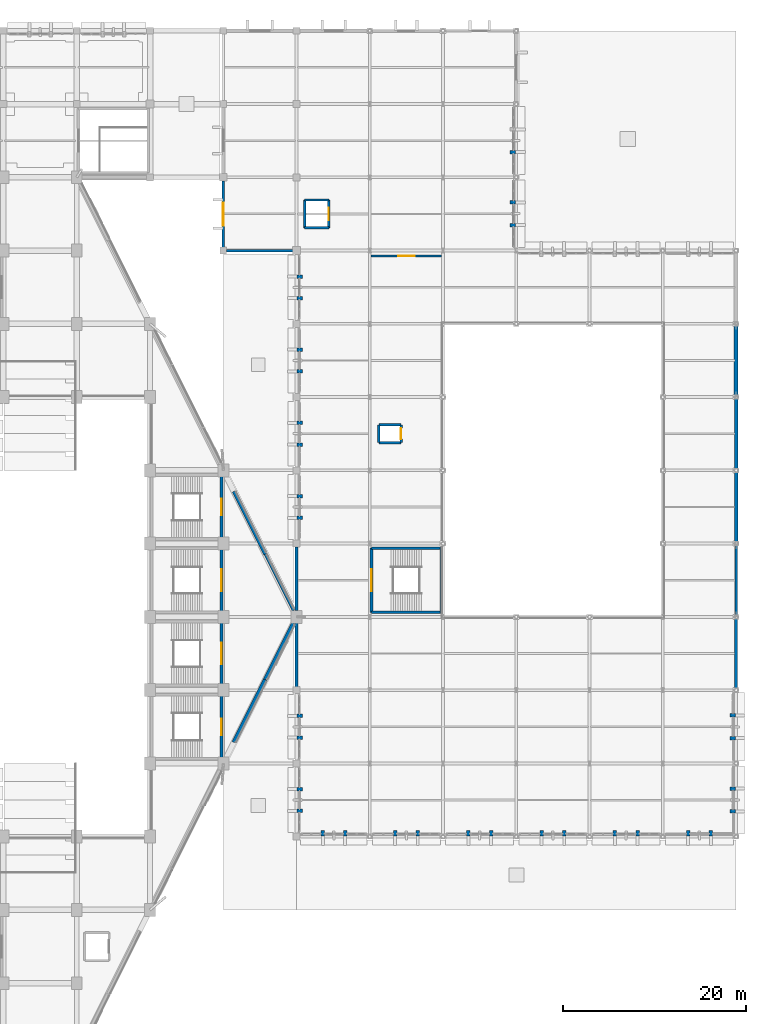
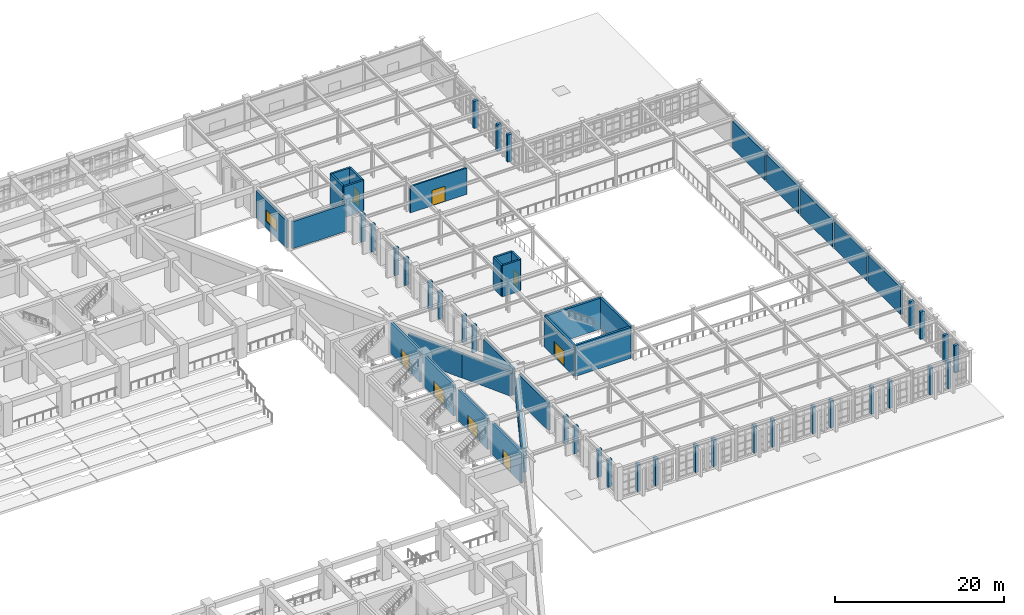
# One storey, part 139 of 155: 61 walls, 8 doors, 1 window, 9 openings.
"""IFC4 building model written with IfcOpenShell, lengths in metres."""

from ifc_helpers import new_model, si_unit, direction, frame, frame_2d, origin, place, context, subcontext, project, spatial, rectangle, extrude, material, layer, layer_set, type_object, element, fill, save


model = new_model("IFC4")

# Units and contexts
model_context = context("Model", 3, precision=1e-05, world=origin(), true_north=direction((0.0, 1.0)))
body_context = subcontext(model_context, "Body", "Model", "MODEL_VIEW")
ifc_project = project(units=[si_unit("LENGTHUNIT", "METRE"), si_unit("AREAUNIT", "SQUARE_METRE"), si_unit("VOLUMEUNIT", "CUBIC_METRE"), si_unit("PLANEANGLEUNIT", "RADIAN"), si_unit("MASSUNIT", "GRAM", prefix="KILO")], contexts=[model_context])

# Site, building, storey
site_placement = place(None, origin())
site = spatial("IfcSite", under=ifc_project, at=site_placement, CompositionType="ELEMENT")
building_placement = place(site_placement, origin())
building = spatial("IfcBuilding", under=site, at=building_placement, Name="Tazarka Park Arena", CompositionType="ELEMENT")
storey_placement = place(building_placement, frame((0.0, 0.0, 5.39990234375)))
storey = spatial("IfcBuildingStorey", under=building, at=storey_placement, Name="L01", CompositionType="ELEMENT", Elevation=5.39990234375)

# Wall, opening, door
ifc_material_1 = material(Name="Concrete C40/50", Category="concrete")
ifc_layer_1 = layer(ifc_material_1, 0.300048828125, Name="Concrete C40/50")
ifc_layer_set_1 = layer_set([ifc_layer_1], Name="Concrete C40/50")
wall_type_1 = type_object("IfcWallType", Name="IWAL-CW-S1", PredefinedType="SHEAR", material=ifc_layer_set_1)
wall_1_placement = place(storey_placement, frame((127.800048828125, 63.5, 0.0), z_axis=(0.0, 0.0, 1.0), x_axis=(0.0, -1.0, 0.0)))
wall_1 = element("IfcWall", 1, at=wall_1_placement, inside=storey, type_object=wall_type_1, Name="SCW-L01-ST12-E", PredefinedType="SHEAR", context=body_context, shape_type="SweptSolid", body=[
    extrude(rectangle(XDim=7.0, YDim=0.300048828125, at=frame_2d((3.5, 0.0))), origin(), (0.0, 0.0, 1.0), 4.47998046875),
])
opening_1_placement = place(wall_1_placement, frame((2.300048828125, 0.0, 0.0)))
opening_1 = element("IfcOpeningElement", 2, at=opening_1_placement, cuts=wall_1, Name="Opening ID-05", PredefinedType="OPENING", context=body_context, shape_type="SweptSolid", body=[
    extrude(rectangle(XDim=2.39990234375, YDim=2.199951171875, at=frame_2d((1.199951171875, 1.10009765625))), frame((0.0, 0.16015625, 0.0), z_axis=(0.0, -1.0, 0.0), x_axis=(1.0, 0.0, 0.0)), (0.0, 0.0, 1.0), 0.320068359375),
])
ifc_material_2 = material(Name="Fire-rated powder-coated steel and acoustic timber", Category="steel")
door_type_1 = type_object("IfcDoorType", Name="IDR-ID-05", OperationType="NOTDEFINED", PredefinedType="DOOR", material=ifc_material_2)
door_1_placement = place(opening_1_placement, frame((2.39990234375, 0.0, 0.0), z_axis=(0.0, 0.0, 1.0), x_axis=(-1.0, 0.0, 0.0)))
door_1 = element("IfcDoor", 3, at=door_1_placement, inside=storey, type_object=door_type_1, Name="Exit Stair Door ST12-L01", OperationType="DOUBLE_DOOR_SINGLE_SWING", OverallHeight=2.199951171875, OverallWidth=2.39990234375, PredefinedType="DOOR", context=body_context, shape_type="SweptSolid", body=[
    extrude(rectangle(XDim=2.39990234375, YDim=2.199951171875, at=frame_2d((1.199951171875, 1.10009765625))), frame((0.0, 0.02490234375, 0.0), z_axis=(0.0, -1.0, 0.0), x_axis=(1.0, 0.0, 0.0)), (0.0, 0.0, 1.0), 0.050048828125),
])
fill(opening_1, door_1)

wall_2_placement = place(storey_placement, frame((127.800048828125, 71.5, 0.0), z_axis=(0.0, 0.0, 1.0), x_axis=(0.0, -1.0, 0.0)))
wall_2 = element("IfcWall", 4, at=wall_2_placement, inside=storey, type_object=wall_type_1, Name="SCW-L01-ST16-E", PredefinedType="SHEAR", context=body_context, shape_type="SweptSolid", body=[
    extrude(rectangle(XDim=7.0, YDim=0.300048828125, at=frame_2d((3.5, 0.0))), origin(), (0.0, 0.0, 1.0), 4.47998046875),
])
opening_2_placement = place(wall_2_placement, frame((2.300048828125, 0.0, 0.0)))
opening_2 = element("IfcOpeningElement", 5, at=opening_2_placement, cuts=wall_2, Name="Opening ID-05", PredefinedType="OPENING", context=body_context, shape_type="SweptSolid", body=[
    extrude(rectangle(XDim=2.39990234375, YDim=2.199951171875, at=frame_2d((1.199951171875, 1.10009765625))), frame((0.0, 0.16015625, 0.0), z_axis=(0.0, -1.0, 0.0), x_axis=(1.0, 0.0, 0.0)), (0.0, 0.0, 1.0), 0.320068359375),
])
door_2_placement = place(opening_2_placement, frame((2.39990234375, 0.0, 0.0), z_axis=(0.0, 0.0, 1.0), x_axis=(-1.0, 0.0, 0.0)))
door_2 = element("IfcDoor", 6, at=door_2_placement, inside=storey, type_object=door_type_1, Name="Exit Stair Door ST16-L01", OperationType="DOUBLE_DOOR_SINGLE_SWING", OverallHeight=2.199951171875, OverallWidth=2.39990234375, PredefinedType="DOOR", context=body_context, shape_type="SweptSolid", body=[
    extrude(rectangle(XDim=2.39990234375, YDim=2.199951171875, at=frame_2d((1.199951171875, 1.10009765625))), frame((0.0, 0.02490234375, 0.0), z_axis=(0.0, -1.0, 0.0), x_axis=(1.0, 0.0, 0.0)), (0.0, 0.0, 1.0), 0.050048828125),
])
fill(opening_2, door_2)

# Wall
wall_3_placement = place(storey_placement, frame((151.800048828125, 64.5, 0.0), z_axis=(0.0, 0.0, 1.0), x_axis=(-1.0, 0.0, 0.0)))
element("IfcWall", 7, at=wall_3_placement, inside=storey, type_object=wall_type_1, Name="SCW-L01-ST18-S", PredefinedType="SHEAR", context=body_context, shape_type="SweptSolid", body=[
    extrude(rectangle(XDim=7.60009765625, YDim=0.300048828125, at=frame_2d((3.800048828125, 0.0))), origin(), (0.0, 0.0, 1.0), 4.47998046875),
])

# Wall, opening, door
wall_4_placement = place(storey_placement, frame((144.199951171875, 64.5, 0.0), z_axis=(0.0, 0.0, 1.0), x_axis=(0.0, 1.0, 0.0)))
wall_4 = element("IfcWall", 8, at=wall_4_placement, inside=storey, type_object=wall_type_1, Name="SCW-L01-ST18-W", PredefinedType="SHEAR", context=body_context, shape_type="SweptSolid", body=[
    extrude(rectangle(XDim=7.0, YDim=0.300048828125, at=frame_2d((3.5, 0.0))), origin(), (0.0, 0.0, 1.0), 4.47998046875),
])
opening_3_placement = place(wall_4_placement, frame((2.300048828125, 0.0, 0.0)))
opening_3 = element("IfcOpeningElement", 9, at=opening_3_placement, cuts=wall_4, Name="Opening ID-05", PredefinedType="OPENING", context=body_context, shape_type="SweptSolid", body=[
    extrude(rectangle(XDim=2.39990234375, YDim=2.199951171875, at=frame_2d((1.199951171875, 1.10009765625))), frame((0.0, 0.16015625, 0.0), z_axis=(0.0, -1.0, 0.0), x_axis=(1.0, 0.0, 0.0)), (0.0, 0.0, 1.0), 0.320068359375),
])
door_3_placement = place(opening_3_placement, frame((2.39990234375, 0.0, 0.0), z_axis=(0.0, 0.0, 1.0), x_axis=(-1.0, 0.0, 0.0)))
door_3 = element("IfcDoor", 10, at=door_3_placement, inside=storey, type_object=door_type_1, Name="Exit Stair Door ST18-L01", OperationType="DOUBLE_DOOR_SINGLE_SWING", OverallHeight=2.199951171875, OverallWidth=2.39990234375, PredefinedType="DOOR", context=body_context, shape_type="SweptSolid", body=[
    extrude(rectangle(XDim=2.39990234375, YDim=2.199951171875, at=frame_2d((1.199951171875, 1.10009765625))), frame((0.0, 0.02490234375, 0.0), z_axis=(0.0, -1.0, 0.0), x_axis=(1.0, 0.0, 0.0)), (0.0, 0.0, 1.0), 0.050048828125),
])
fill(opening_3, door_3)

# Walls
wall_5_placement = place(storey_placement, frame((144.199951171875, 71.5, 0.0), z_axis=(0.0, 0.0, 1.0), x_axis=(1.0, 0.0, 0.0)))
element("IfcWall", 11, at=wall_5_placement, inside=storey, type_object=wall_type_1, Name="SCW-L01-ST18-N", PredefinedType="SHEAR", context=body_context, shape_type="SweptSolid", body=[
    extrude(rectangle(XDim=7.60009765625, YDim=0.300048828125, at=frame_2d((3.800048828125, 0.0))), origin(), (0.0, 0.0, 1.0), 4.47998046875),
])
wall_6_placement = place(storey_placement, frame((151.800048828125, 71.5, 0.0), z_axis=(0.0, 0.0, 1.0), x_axis=(0.0, -1.0, 0.0)))
element("IfcWall", 12, at=wall_6_placement, inside=storey, type_object=wall_type_1, Name="SCW-L01-ST18-E", PredefinedType="SHEAR", context=body_context, shape_type="SweptSolid", body=[
    extrude(rectangle(XDim=7.0, YDim=0.300048828125, at=frame_2d((3.5, 0.0))), origin(), (0.0, 0.0, 1.0), 4.47998046875),
])

# Wall, opening, door
wall_7_placement = place(storey_placement, frame((127.800048828125, 55.5, 0.0), z_axis=(0.0, 0.0, 1.0), x_axis=(0.0, -1.0, 0.0)))
wall_7 = element("IfcWall", 13, at=wall_7_placement, inside=storey, type_object=wall_type_1, Name="SCW-L01-ST21-E", PredefinedType="SHEAR", context=body_context, shape_type="SweptSolid", body=[
    extrude(rectangle(XDim=7.0, YDim=0.300048828125, at=frame_2d((3.5, 0.0))), origin(), (0.0, 0.0, 1.0), 4.47998046875),
])
opening_4_placement = place(wall_7_placement, frame((2.60009765625, 0.0, 0.0)))
opening_4 = element("IfcOpeningElement", 14, at=opening_4_placement, cuts=wall_7, Name="Opening ID-04", PredefinedType="OPENING", context=body_context, shape_type="SweptSolid", body=[
    extrude(rectangle(XDim=1.800048828125, YDim=2.199951171875, at=frame_2d((0.89990234375, 1.10009765625))), frame((0.0, 0.16015625, 0.0), z_axis=(0.0, -1.0, 0.0), x_axis=(1.0, 0.0, 0.0)), (0.0, 0.0, 1.0), 0.320068359375),
])
ifc_material_3 = material(Name="Fire-rated powder-coated steel and acoustic timber", Category="steel")
door_type_2 = type_object("IfcDoorType", Name="IDR-ID-04", OperationType="NOTDEFINED", PredefinedType="DOOR", material=ifc_material_3)
door_4_placement = place(opening_4_placement, frame((1.800048828125, 0.0, 0.0), z_axis=(0.0, 0.0, 1.0), x_axis=(-1.0, 0.0, 0.0)))
door_4 = element("IfcDoor", 15, at=door_4_placement, inside=storey, type_object=door_type_2, Name="Vomitory Stair Door ST21-L01", OperationType="DOUBLE_DOOR_SINGLE_SWING", OverallHeight=2.199951171875, OverallWidth=1.800048828125, PredefinedType="DOOR", context=body_context, shape_type="SweptSolid", body=[
    extrude(rectangle(XDim=1.800048828125, YDim=2.199951171875, at=frame_2d((0.89990234375, 1.10009765625))), frame((0.0, 0.02490234375, 0.0), z_axis=(0.0, -1.0, 0.0), x_axis=(1.0, 0.0, 0.0)), (0.0, 0.0, 1.0), 0.050048828125),
])
fill(opening_4, door_4)

wall_8_placement = place(storey_placement, frame((127.800048828125, 79.5, 0.0), z_axis=(0.0, 0.0, 1.0), x_axis=(0.0, -1.0, 0.0)))
wall_8 = element("IfcWall", 16, at=wall_8_placement, inside=storey, type_object=wall_type_1, Name="SCW-L01-ST22-E", PredefinedType="SHEAR", context=body_context, shape_type="SweptSolid", body=[
    extrude(rectangle(XDim=7.0, YDim=0.300048828125, at=frame_2d((3.5, 0.0))), origin(), (0.0, 0.0, 1.0), 4.47998046875),
])
opening_5_placement = place(wall_8_placement, frame((2.60009765625, 0.0, 0.0)))
opening_5 = element("IfcOpeningElement", 17, at=opening_5_placement, cuts=wall_8, Name="Opening ID-04", PredefinedType="OPENING", context=body_context, shape_type="SweptSolid", body=[
    extrude(rectangle(XDim=1.800048828125, YDim=2.199951171875, at=frame_2d((0.89990234375, 1.10009765625))), frame((0.0, 0.16015625, 0.0), z_axis=(0.0, -1.0, 0.0), x_axis=(1.0, 0.0, 0.0)), (0.0, 0.0, 1.0), 0.320068359375),
])
door_5_placement = place(opening_5_placement, frame((1.800048828125, 0.0, 0.0), z_axis=(0.0, 0.0, 1.0), x_axis=(-1.0, 0.0, 0.0)))
door_5 = element("IfcDoor", 18, at=door_5_placement, inside=storey, type_object=door_type_2, Name="Vomitory Stair Door ST22-L01", OperationType="DOUBLE_DOOR_SINGLE_SWING", OverallHeight=2.199951171875, OverallWidth=1.800048828125, PredefinedType="DOOR", context=body_context, shape_type="SweptSolid", body=[
    extrude(rectangle(XDim=1.800048828125, YDim=2.199951171875, at=frame_2d((0.89990234375, 1.10009765625))), frame((0.0, 0.02490234375, 0.0), z_axis=(0.0, -1.0, 0.0), x_axis=(1.0, 0.0, 0.0)), (0.0, 0.0, 1.0), 0.050048828125),
])
fill(opening_5, door_5)

# Walls
ifc_material_4 = material(Name="Concrete C40/50", Category="concrete")
ifc_layer_2 = layer(ifc_material_4, 0.260009765625, Name="Concrete C40/50")
ifc_layer_set_2 = layer_set([ifc_layer_2], Name="Concrete C40/50")
wall_type_2 = type_object("IfcWallType", Name="IWAL-CW-S3", PredefinedType="SHEAR", material=ifc_layer_set_2)
wall_9_placement = place(storey_placement, frame((144.97998046875, 83.030029296875, 0.0), z_axis=(0.0, 0.0, 1.0), x_axis=(0.0, 1.0, 0.0)))
element("IfcWall", 19, at=wall_9_placement, inside=storey, type_object=wall_type_2, Name="LSW-L01-LF-10-W", PredefinedType="SHEAR", context=body_context, shape_type="SweptSolid", body=[
    extrude(rectangle(XDim=1.93994140625, YDim=0.260009765625, at=frame_2d((0.969970703125, 0.0))), origin(), (0.0, 0.0, 1.0), 4.47998046875),
])
for number, where, z_axis, x_axis, name in (
    (20, (144.97998046875, 84.969970703125, 0.0), (0.0, 0.0, 1.0), (1.0, 0.0, 0.0), "LSW-L01-LF-10-N"),
    (21, (147.419921875, 83.030029296875, 0.0), (0.0, 0.0, 1.0), (-1.0, 0.0, 0.0), "LSW-L01-LF-10-S"),
):
    element("IfcWall", number, at=place(storey_placement, frame(where, z_axis=z_axis, x_axis=x_axis)), inside=storey, type_object=wall_type_2, Name=name, PredefinedType="SHEAR", context=body_context, shape_type="SweptSolid", body=[
        extrude(rectangle(XDim=2.43994140625, YDim=0.260009765625, at=frame_2d((1.219970703125, 0.0))), origin(), (0.0, 0.0, 1.0), 4.47998046875),
    ])

# Wall, opening, door
wall_10_placement = place(storey_placement, frame((147.419921875, 84.969970703125, 0.0), z_axis=(0.0, 0.0, 1.0), x_axis=(0.0, -1.0, 0.0)))
wall_10 = element("IfcWall", 22, at=wall_10_placement, inside=storey, type_object=wall_type_2, Name="LSW-L01-LF-10-E", PredefinedType="SHEAR", context=body_context, shape_type="SweptSolid", body=[
    extrude(rectangle(XDim=1.93994140625, YDim=0.260009765625, at=frame_2d((0.969970703125, 0.0))), origin(), (0.0, 0.0, 1.0), 4.47998046875),
])
opening_6_placement = place(wall_10_placement, frame((0.3701171875, 0.0, 0.0)))
opening_6 = element("IfcOpeningElement", 23, at=opening_6_placement, cuts=wall_10, Name="Opening LD-02", PredefinedType="OPENING", context=body_context, shape_type="SweptSolid", body=[
    extrude(rectangle(XDim=1.199951171875, YDim=2.14990234375, at=frame_2d((0.60009765625, 1.074951171875))), frame((0.0, 0.14013671875, 0.0), z_axis=(0.0, -1.0, 0.0), x_axis=(1.0, 0.0, 0.0)), (0.0, 0.0, 1.0), 0.280029296875),
])
ifc_material_5 = material(Name="Fire-rated powder-coated steel and acoustic timber", Category="steel")
door_type_3 = type_object("IfcDoorType", Name="IDR-LD-02", OperationType="NOTDEFINED", PredefinedType="DOOR", material=ifc_material_5)
door_6_placement = place(opening_6_placement, origin())
door_6 = element("IfcDoor", 24, at=door_6_placement, inside=storey, type_object=door_type_3, Name="Lift Landing Door LF-10-L01", OperationType="SLIDING_TO_LEFT", OverallHeight=2.14990234375, OverallWidth=1.199951171875, PredefinedType="DOOR", context=body_context, shape_type="SweptSolid", body=[
    extrude(rectangle(XDim=1.199951171875, YDim=2.14990234375, at=frame_2d((0.60009765625, 1.074951171875))), frame((0.0, 0.02490234375, 0.0), z_axis=(0.0, -1.0, 0.0), x_axis=(1.0, 0.0, 0.0)), (0.0, 0.0, 1.0), 0.050048828125),
])
fill(opening_6, door_6)

# Walls
wall_11_placement = place(storey_placement, frame((136.8798828125, 106.47998046875, 0.0), z_axis=(0.0, 0.0, 1.0), x_axis=(0.0, 1.0, 0.0)))
element("IfcWall", 25, at=wall_11_placement, inside=storey, type_object=wall_type_2, Name="LSW-L01-LF-12-W", PredefinedType="SHEAR", context=body_context, shape_type="SweptSolid", body=[
    extrude(rectangle(XDim=3.0400390625, YDim=0.260009765625, at=frame_2d((1.52001953125, 0.0))), origin(), (0.0, 0.0, 1.0), 4.47998046875),
])
for number, where, z_axis, x_axis, name in (
    (26, (136.8798828125, 109.52001953125, 0.0), (0.0, 0.0, 1.0), (1.0, 0.0, 0.0), "LSW-L01-LF-12-N"),
    (27, (139.52001953125, 106.47998046875, 0.0), (0.0, 0.0, 1.0), (-1.0, 0.0, 0.0), "LSW-L01-LF-12-S"),
):
    element("IfcWall", number, at=place(storey_placement, frame(where, z_axis=z_axis, x_axis=x_axis)), inside=storey, type_object=wall_type_2, Name=name, PredefinedType="SHEAR", context=body_context, shape_type="SweptSolid", body=[
        extrude(rectangle(XDim=2.64013671875, YDim=0.260009765625, at=frame_2d((1.320068359375, 0.0))), origin(), (0.0, 0.0, 1.0), 4.47998046875),
    ])

# Wall, opening, door
wall_12_placement = place(storey_placement, frame((139.52001953125, 109.52001953125, 0.0), z_axis=(0.0, 0.0, 1.0), x_axis=(0.0, -1.0, 0.0)))
wall_12 = element("IfcWall", 28, at=wall_12_placement, inside=storey, type_object=wall_type_2, Name="LSW-L01-LF-12-E", PredefinedType="SHEAR", context=body_context, shape_type="SweptSolid", body=[
    extrude(rectangle(XDim=3.0400390625, YDim=0.260009765625, at=frame_2d((1.52001953125, 0.0))), origin(), (0.0, 0.0, 1.0), 4.47998046875),
])
opening_7_placement = place(wall_12_placement, frame((0.820068359375, 0.0, 0.0)))
opening_7 = element("IfcOpeningElement", 29, at=opening_7_placement, cuts=wall_12, Name="Opening LD-03", PredefinedType="OPENING", context=body_context, shape_type="SweptSolid", body=[
    extrude(rectangle(XDim=1.39990234375, YDim=2.199951171875, at=frame_2d((0.699951171875, 1.10009765625))), frame((0.0, 0.14013671875, 0.0), z_axis=(0.0, -1.0, 0.0), x_axis=(1.0, 0.0, 0.0)), (0.0, 0.0, 1.0), 0.280029296875),
])
ifc_material_6 = material(Name="Fire-rated powder-coated steel and acoustic timber", Category="steel")
door_type_4 = type_object("IfcDoorType", Name="IDR-LD-03", OperationType="NOTDEFINED", PredefinedType="DOOR", material=ifc_material_6)
door_7_placement = place(opening_7_placement, origin())
door_7 = element("IfcDoor", 30, at=door_7_placement, inside=storey, type_object=door_type_4, Name="Lift Landing Door LF-12-L01", OperationType="SLIDING_TO_LEFT", OverallHeight=2.199951171875, OverallWidth=1.39990234375, PredefinedType="DOOR", context=body_context, shape_type="SweptSolid", body=[
    extrude(rectangle(XDim=1.39990234375, YDim=2.199951171875, at=frame_2d((0.699951171875, 1.10009765625))), frame((0.0, 0.02490234375, 0.0), z_axis=(0.0, -1.0, 0.0), x_axis=(1.0, 0.0, 0.0)), (0.0, 0.0, 1.0), 0.050048828125),
])
fill(opening_7, door_7)

ifc_material_7 = material(Name="Double-leaf suite party wall")
ifc_layer_3 = layer(ifc_material_7, 0.195068359375, Name="Double-leaf suite party wall")
ifc_layer_set_3 = layer_set([ifc_layer_3], Name="Double-leaf suite party wall")
wall_type_3 = type_object("IfcWallType", Name="IWAL-PT-19", PredefinedType="PARTITIONING", material=ifc_layer_set_3)
wall_13_placement = place(storey_placement, frame((144.1533203125, 103.39990234375, 0.0), z_axis=(0.0, 0.0, 1.0), x_axis=(1.0, 0.0, 0.0)))
wall_13 = element("IfcWall", 31, at=wall_13_placement, inside=storey, type_object=wall_type_3, Name="PRT-L01-017", PredefinedType="PARTITIONING", context=body_context, shape_type="SweptSolid", body=[
    extrude(rectangle(XDim=7.693359375, YDim=0.195068359375, at=frame_2d((3.8466796875, 0.0))), origin(), (0.0, 0.0, 1.0), 3.81005859375),
])
opening_8_placement = place(wall_13_placement, frame((2.94677734375, 0.0, 0.0)))
opening_8 = element("IfcOpeningElement", 32, at=opening_8_placement, cuts=wall_13, Name="Opening ID-04", PredefinedType="OPENING", context=body_context, shape_type="SweptSolid", body=[
    extrude(rectangle(XDim=1.800048828125, YDim=2.199951171875, at=frame_2d((0.89990234375, 1.10009765625))), frame((0.0, 0.107421875, 0.0), z_axis=(0.0, -1.0, 0.0), x_axis=(1.0, 0.0, 0.0)), (0.0, 0.0, 1.0), 0.215087890625),
])
door_8_placement = place(opening_8_placement, origin())
door_8 = element("IfcDoor", 33, at=door_8_placement, inside=storey, type_object=door_type_2, Name="Room Door Warm-Up Gallery and Community Spectator Promenade", OperationType="DOUBLE_DOOR_SINGLE_SWING", OverallHeight=2.199951171875, OverallWidth=1.800048828125, PredefinedType="DOOR", context=body_context, shape_type="SweptSolid", body=[
    extrude(rectangle(XDim=1.800048828125, YDim=2.199951171875, at=frame_2d((0.89990234375, 1.10009765625))), frame((0.0, 0.02490234375, 0.0), z_axis=(0.0, -1.0, 0.0), x_axis=(1.0, 0.0, 0.0)), (0.0, 0.0, 1.0), 0.050048828125),
])
fill(opening_8, door_8)

# Walls
ifc_material_8 = material(Name="Concrete C50/60", Category="concrete")
ifc_layer_4 = layer(ifc_material_8, 0.3798828125, Name="Concrete C50/60")
ifc_layer_set_4 = layer_set([ifc_layer_4], Name="Concrete C50/60")
wall_type_4 = type_object("IfcWallType", Name="WAL-EW-05", PredefinedType="SOLIDWALL", material=ifc_layer_set_4)
for number, where, z_axis, x_axis, name in (
    (34, (136.669921875, 98.8017578125, 0.0), (0.0, 0.0, 1.0), (-1.0, 0.0, 0.0), "BFP-L01-148-1"),
    (35, (136.669921875, 101.148193359375, 0.0), (0.0, 0.0, 1.0), (-1.0, 0.0, 0.0), "BFP-L01-148-2"),
    (36, (136.669921875, 90.818359375, 0.0), (0.0, 0.0, 1.0), (-1.0, 0.0, 0.0), "BFP-L01-151-1"),
    (37, (136.669921875, 93.181640625, 0.0), (0.0, 0.0, 1.0), (-1.0, 0.0, 0.0), "BFP-L01-151-2"),
):
    element("IfcWall", number, at=place(storey_placement, frame(where, z_axis=z_axis, x_axis=x_axis)), inside=storey, type_object=wall_type_4, Name=name, PredefinedType="SOLIDWALL", context=body_context, shape_type="SweptSolid", body=[
        extrude(rectangle(XDim=0.599853515625, YDim=0.3798828125, at=frame_2d((0.2998046875, 0.0))), origin(), (0.0, 0.0, 1.0), 3.91015625),
    ])
for number, where, z_axis, x_axis, name in (
    (38, (136.669921875, 82.818359375, 0.0), (0.0, 0.0, 1.0), (-1.0, 0.0, 0.0), "BFP-L01-154-1"),
    (39, (136.669921875, 85.181640625, 0.0), (0.0, 0.0, 1.0), (-1.0, 0.0, 0.0), "BFP-L01-154-2"),
    (40, (136.669921875, 74.818359375, 0.0), (0.0, 0.0, 1.0), (-1.0, 0.0, 0.0), "BFP-L01-157-1"),
    (41, (136.669921875, 77.181640625, 0.0), (0.0, 0.0, 1.0), (-1.0, 0.0, 0.0), "BFP-L01-157-2"),
    (42, (136.669921875, 50.818359375, 0.0), (0.0, 0.0, 1.0), (-1.0, 0.0, 0.0), "BFP-L01-160-1"),
    (43, (136.669921875, 53.181640625, 0.0), (0.0, 0.0, 1.0), (-1.0, 0.0, 0.0), "BFP-L01-160-2"),
):
    element("IfcWall", number, at=place(storey_placement, frame(where, z_axis=z_axis, x_axis=x_axis)), inside=storey, type_object=wall_type_4, Name=name, PredefinedType="SOLIDWALL", context=body_context, shape_type="SweptSolid", body=[
        extrude(rectangle(XDim=0.599853515625, YDim=0.3798828125, at=frame_2d((0.2998046875, 0.0))), origin(), (0.0, 0.0, 1.0), 3.900146484375),
    ])
for number, where, z_axis, x_axis, name in (
    (44, (136.669921875, 42.818359375, 0.0), (0.0, 0.0, 1.0), (-1.0, 0.0, 0.0), "BFP-L01-163-1"),
    (45, (136.669921875, 45.181640625, 0.0), (0.0, 0.0, 1.0), (-1.0, 0.0, 0.0), "BFP-L01-163-2"),
    (46, (141.296142578125, 40.669921875, 0.0), (0.0, 0.0, 1.0), (0.0, -1.0, 0.0), "BFP-L01-166-1"),
    (47, (138.87548828125, 40.669921875, 0.0), (0.0, 0.0, 1.0), (0.0, -1.0, 0.0), "BFP-L01-166-2"),
    (48, (149.239013671875, 40.669921875, 0.0), (0.0, 0.0, 1.0), (0.0, -1.0, 0.0), "BFP-L01-169-1"),
    (49, (146.760986328125, 40.669921875, 0.0), (0.0, 0.0, 1.0), (0.0, -1.0, 0.0), "BFP-L01-169-2"),
    (50, (157.239013671875, 40.669921875, 0.0), (0.0, 0.0, 1.0), (0.0, -1.0, 0.0), "BFP-L01-172-1"),
    (51, (154.760986328125, 40.669921875, 0.0), (0.0, 0.0, 1.0), (0.0, -1.0, 0.0), "BFP-L01-172-2"),
    (52, (165.239013671875, 40.669921875, 0.0), (0.0, 0.0, 1.0), (0.0, -1.0, 0.0), "BFP-L01-175-1"),
    (53, (162.760986328125, 40.669921875, 0.0), (0.0, 0.0, 1.0), (0.0, -1.0, 0.0), "BFP-L01-175-2"),
    (54, (173.239013671875, 40.669921875, 0.0), (0.0, 0.0, 1.0), (0.0, -1.0, 0.0), "BFP-L01-178-1"),
    (55, (170.760986328125, 40.669921875, 0.0), (0.0, 0.0, 1.0), (0.0, -1.0, 0.0), "BFP-L01-178-2"),
    (56, (181.239013671875, 40.669921875, 0.0), (0.0, 0.0, 1.0), (0.0, -1.0, 0.0), "BFP-L01-181-1"),
    (57, (178.760986328125, 40.669921875, 0.0), (0.0, 0.0, 1.0), (0.0, -1.0, 0.0), "BFP-L01-181-2"),
    (58, (183.330078125, 45.239013671875, 0.0), (0.0, 0.0, 1.0), (1.0, 0.0, 0.0), "BFP-L01-184-1"),
    (59, (183.330078125, 42.760986328125, 0.0), (0.0, 0.0, 1.0), (1.0, 0.0, 0.0), "BFP-L01-184-2"),
    (60, (183.330078125, 53.239013671875, 0.0), (0.0, 0.0, 1.0), (1.0, 0.0, 0.0), "BFP-L01-187-1"),
    (61, (183.330078125, 50.760986328125, 0.0), (0.0, 0.0, 1.0), (1.0, 0.0, 0.0), "BFP-L01-187-2"),
):
    element("IfcWall", number, at=place(storey_placement, frame(where, z_axis=z_axis, x_axis=x_axis)), inside=storey, type_object=wall_type_4, Name=name, PredefinedType="SOLIDWALL", context=body_context, shape_type="SweptSolid", body=[
        extrude(rectangle(XDim=0.599853515625, YDim=0.3798828125, at=frame_2d((0.2998046875, 0.0))), origin(), (0.0, 0.0, 1.0), 3.91015625),
    ])
for number, where, z_axis, x_axis, name in (
    (62, (159.330078125, 109.25439453125, 0.0), (0.0, 0.0, 1.0), (1.0, 0.0, 0.0), "BFP-L01-199-1"),
    (63, (159.330078125, 106.792236328125, 0.0), (0.0, 0.0, 1.0), (1.0, 0.0, 0.0), "BFP-L01-199-2"),
):
    element("IfcWall", number, at=place(storey_placement, frame(where, z_axis=z_axis, x_axis=x_axis)), inside=storey, type_object=wall_type_4, Name=name, PredefinedType="SOLIDWALL", context=body_context, shape_type="SweptSolid", body=[
        extrude(rectangle(XDim=0.599853515625, YDim=0.3798828125, at=frame_2d((0.2998046875, 0.0))), origin(), (0.0, 0.0, 1.0), 3.900146484375),
    ])
wall_14_placement = place(storey_placement, frame((159.330078125, 114.760986328125, 0.0), z_axis=(0.0, 0.0, 1.0), x_axis=(1.0, 0.0, 0.0)))
element("IfcWall", 64, at=wall_14_placement, inside=storey, type_object=wall_type_4, Name="BFP-L01-202-2", PredefinedType="SOLIDWALL", context=body_context, shape_type="SweptSolid", body=[
    extrude(rectangle(XDim=0.599853515625, YDim=0.3798828125, at=frame_2d((0.2998046875, 0.0))), origin(), (0.0, 0.0, 1.0), 3.91015625),
])

# Wall, opening, window
ifc_material_9 = material(Name="Precast concrete C40/50", Category="concrete")
ifc_layer_5 = layer(ifc_material_9, 0.280029296875, Name="Precast concrete C40/50")
ifc_layer_set_5 = layer_set([ifc_layer_5], Name="Precast concrete C40/50")
wall_type_5 = type_object("IfcWallType", Name="WAL-EW-06", PredefinedType="SOLIDWALL", material=ifc_layer_set_5)
wall_15_placement = place(storey_placement, frame((128.0, 104.35498046875, 0.0), z_axis=(0.0, 0.0, 1.0), x_axis=(0.0, 1.0, 0.0)))
wall_15 = element("IfcWall", 65, at=wall_15_placement, inside=storey, type_object=wall_type_5, Name="EW-L01-0213", PredefinedType="SOLIDWALL", context=body_context, shape_type="SweptSolid", body=[
    extrude(rectangle(XDim=7.239990234375, YDim=0.280029296875, at=frame_2d((3.6201171875, 0.0))), origin(), (0.0, 0.0, 1.0), 3.91015625),
])
opening_9_placement = place(wall_15_placement, frame((2.344970703125, 0.0, 0.949951171875)))
opening_9 = element("IfcOpeningElement", 66, at=opening_9_placement, cuts=wall_15, Name="Opening WN-30", PredefinedType="OPENING", context=body_context, shape_type="SweptSolid", body=[
    extrude(rectangle(XDim=2.550048828125, YDim=1.64990234375, at=frame_2d((1.27490234375, 0.824951171875))), frame((0.0, 0.14990234375, 0.0), z_axis=(0.0, -1.0, 0.0), x_axis=(1.0, 0.0, 0.0)), (0.0, 0.0, 1.0), 0.300048828125),
])
ifc_material_10 = material(Name="Thermally broken aluminium and solar-control low-e glazing", Category="aluminium")
window_type = type_object("IfcWindowType", Name="WIN-WN-30", PartitioningType="DOUBLE_PANEL_VERTICAL", PredefinedType="WINDOW", material=ifc_material_10)
window_placement = place(opening_9_placement, origin())
window = element("IfcWindow", 67, at=window_placement, inside=storey, type_object=window_type, Name="WIN-L01-0030", OverallHeight=1.64990234375, OverallWidth=2.550048828125, PartitioningType="SINGLE_PANEL", PredefinedType="WINDOW", context=body_context, shape_type="SweptSolid", body=[
    extrude(rectangle(XDim=2.550048828125, YDim=1.64990234375, at=frame_2d((1.27490234375, 0.824951171875))), frame((0.0, 0.030029296875, 0.0), z_axis=(0.0, -1.0, 0.0), x_axis=(1.0, 0.0, 0.0)), (0.0, 0.0, 1.0), 0.06005859375),
])
fill(opening_9, window)

# Walls
ifc_material_11 = material(Name="Precast concrete C40/50", Category="concrete")
ifc_layer_6 = layer(ifc_material_11, 0.2900390625, Name="Precast concrete C40/50")
ifc_layer_set_6 = layer_set([ifc_layer_6], Name="Precast concrete C40/50")
wall_type_6 = type_object("IfcWallType", Name="WAL-EW-07", PredefinedType="SOLIDWALL", material=ifc_layer_set_6)
wall_16_placement = place(storey_placement, frame((135.594970703125, 104.0, 0.0), z_axis=(0.0, 0.0, 1.0), x_axis=(-1.0, 0.0, 0.0)))
element("IfcWall", 68, at=wall_16_placement, inside=storey, type_object=wall_type_6, Name="EW-L01-0214", PredefinedType="SOLIDWALL", context=body_context, shape_type="SweptSolid", body=[
    extrude(rectangle(XDim=7.239990234375, YDim=0.2900390625, at=frame_2d((3.6201171875, 0.0))), origin(), (0.0, 0.0, 1.0), 3.91015625),
])
ifc_material_12 = material(Name="Precast concrete C40/50", Category="concrete")
ifc_layer_7 = layer(ifc_material_12, 0.31005859375, Name="Precast concrete C40/50")
ifc_layer_set_7 = layer_set([ifc_layer_7], Name="Precast concrete C40/50")
wall_type_7 = type_object("IfcWallType", Name="WAL-EW-08", PredefinedType="SOLIDWALL", material=ifc_layer_set_7)
wall_17_placement = place(storey_placement, frame((136.0, 64.679931640625, 0.0), z_axis=(0.0, 0.0, 1.0), x_axis=(0.0, 1.0, 0.0)))
element("IfcWall", 69, at=wall_17_placement, inside=storey, type_object=wall_type_7, Name="EW-L01-0199", PredefinedType="SOLIDWALL", context=body_context, shape_type="SweptSolid", body=[
    extrude(rectangle(XDim=6.965087890625, YDim=0.31005859375, at=frame_2d((3.482421875, 0.0))), origin(), (0.0, 0.0, 1.0), 3.900146484375),
])
ifc_material_13 = material(Name="Concrete C40/50", Category="concrete")
ifc_layer_8 = layer(ifc_material_13, 0.330078125, Name="Concrete C40/50")
ifc_layer_set_8 = layer_set([ifc_layer_8], Name="Concrete C40/50")
wall_type_8 = type_object("IfcWallType", Name="WAL-EW-09", PredefinedType="SOLIDWALL", material=ifc_layer_set_8)
wall_18_placement = place(storey_placement, frame((136.0, 56.35498046875, 0.0), z_axis=(0.0, 0.0, 1.0), x_axis=(0.0, 1.0, 0.0)))
element("IfcWall", 70, at=wall_18_placement, inside=storey, type_object=wall_type_8, Name="EW-L01-0200", PredefinedType="SOLIDWALL", context=body_context, shape_type="SweptSolid", body=[
    extrude(rectangle(XDim=6.965087890625, YDim=0.330078125, at=frame_2d((3.482421875, 0.0))), origin(), (0.0, 0.0, 1.0), 3.900146484375),
])
ifc_material_14 = material(Name="Concrete C40/50", Category="concrete")
ifc_layer_9 = layer(ifc_material_14, 0.35009765625, Name="Concrete C40/50")
ifc_layer_set_9 = layer_set([ifc_layer_9], Name="Concrete C40/50")
wall_type_9 = type_object("IfcWallType", Name="WAL-EW-10", PredefinedType="SOLIDWALL", material=ifc_layer_set_9)
wall_19_placement = place(storey_placement, frame((129.142822265625, 77.71435546875, 0.0), z_axis=(0.0, 0.0, 1.0), x_axis=(0.447200857411, -0.894433559931, 0.0)))
element("IfcWall", 71, at=wall_19_placement, inside=storey, type_object=wall_type_9, Name="EW-L01-0169", PredefinedType="SOLIDWALL", context=body_context, shape_type="SweptSolid", body=[
    extrude(rectangle(XDim=7.66650390625, YDim=0.35009765625, at=frame_2d((3.833251953125, 0.0))), origin(), (0.0, 0.0, 1.0), 3.4501953125),
])
wall_20_placement = place(storey_placement, frame((184.0, 63.81689453125, 0.0), z_axis=(0.0, 0.0, 1.0), x_axis=(0.0, -1.0, 0.0)))
element("IfcWall", 72, at=wall_20_placement, inside=storey, type_object=wall_type_9, Name="EW-L01-0201", PredefinedType="SOLIDWALL", context=body_context, shape_type="SweptSolid", body=[
    extrude(rectangle(XDim=7.6337890625, YDim=0.35009765625, at=frame_2d((3.81689453125, 0.0))), origin(), (0.0, 0.0, 1.0), 3.91015625),
])
ifc_material_15 = material(Name="Precast concrete C40/50", Category="concrete")
ifc_layer_10 = layer(ifc_material_15, 0.27001953125, Name="Precast concrete C40/50")
ifc_layer_set_10 = layer_set([ifc_layer_10], Name="Precast concrete C40/50")
wall_type_10 = type_object("IfcWallType", Name="WAL-EW-11", PredefinedType="SOLIDWALL", material=ifc_layer_set_10)
wall_21_placement = place(storey_placement, frame((132.5712890625, 70.857177734375, 0.0), z_axis=(0.0, 0.0, 1.0), x_axis=(0.4472135955, -0.894427191, 0.0)))
element("IfcWall", 73, at=wall_21_placement, inside=storey, type_object=wall_type_10, Name="EW-L01-0170", PredefinedType="SOLIDWALL", context=body_context, shape_type="SweptSolid", body=[
    extrude(rectangle(XDim=6.90625, YDim=0.27001953125, at=frame_2d((3.453125, 0.0))), origin(), (0.0, 0.0, 1.0), 3.4501953125),
])
wall_22_placement = place(storey_placement, frame((184.0, 71.81689453125, 0.0), z_axis=(0.0, 0.0, 1.0), x_axis=(0.0, -1.0, 0.0)))
element("IfcWall", 74, at=wall_22_placement, inside=storey, type_object=wall_type_10, Name="EW-L01-0202", PredefinedType="SOLIDWALL", context=body_context, shape_type="SweptSolid", body=[
    extrude(rectangle(XDim=7.6337890625, YDim=0.27001953125, at=frame_2d((3.81689453125, 0.0))), origin(), (0.0, 0.0, 1.0), 3.91015625),
])
ifc_material_16 = material(Name="Concrete C40/50", Category="concrete")
ifc_layer_11 = layer(ifc_material_16, 0.3701171875, Name="Concrete C40/50")
ifc_layer_set_11 = layer_set([ifc_layer_11], Name="Concrete C40/50")
wall_type_11 = type_object("IfcWallType", Name="WAL-EW-12", PredefinedType="SOLIDWALL", material=ifc_layer_set_11)
wall_23_placement = place(storey_placement, frame((184.0, 79.81689453125, 0.0), z_axis=(0.0, 0.0, 1.0), x_axis=(0.0, -1.0, 0.0)))
element("IfcWall", 75, at=wall_23_placement, inside=storey, type_object=wall_type_11, Name="EW-L01-0203", PredefinedType="SOLIDWALL", context=body_context, shape_type="SweptSolid", body=[
    extrude(rectangle(XDim=7.6337890625, YDim=0.3701171875, at=frame_2d((3.81689453125, 0.0))), origin(), (0.0, 0.0, 1.0), 3.91015625),
])
ifc_material_17 = material(Name="Concrete C50/60", Category="concrete")
ifc_layer_12 = layer(ifc_material_17, 0.389892578125, Name="Concrete C50/60")
ifc_layer_set_12 = layer_set([ifc_layer_12], Name="Concrete C50/60")
wall_type_12 = type_object("IfcWallType", Name="WAL-EW-13", PredefinedType="SOLIDWALL", material=ifc_layer_set_12)
wall_24_placement = place(storey_placement, frame((184.0, 87.81689453125, 0.0), z_axis=(0.0, 0.0, 1.0), x_axis=(0.0, -1.0, 0.0)))
element("IfcWall", 76, at=wall_24_placement, inside=storey, type_object=wall_type_12, Name="EW-L01-0204", PredefinedType="SOLIDWALL", context=body_context, shape_type="SweptSolid", body=[
    extrude(rectangle(XDim=7.6337890625, YDim=0.389892578125, at=frame_2d((3.81689453125, 0.0))), origin(), (0.0, 0.0, 1.0), 3.91015625),
])
ifc_material_18 = material(Name="Concrete C50/60", Category="concrete")
ifc_layer_13 = layer(ifc_material_18, 0.409912109375, Name="Concrete C50/60")
ifc_layer_set_13 = layer_set([ifc_layer_13], Name="Concrete C50/60")
wall_type_13 = type_object("IfcWallType", Name="WAL-EW-14", PredefinedType="SOLIDWALL", material=ifc_layer_set_13)
wall_25_placement = place(storey_placement, frame((135.659912109375, 63.320068359375, 0.0), z_axis=(0.0, 0.0, 1.0), x_axis=(-0.4472135955, -0.894427191, 0.0)))
element("IfcWall", 77, at=wall_25_placement, inside=storey, type_object=wall_type_13, Name="EW-L01-0157", PredefinedType="SOLIDWALL", context=body_context, shape_type="SweptSolid", body=[
    extrude(rectangle(XDim=6.90625, YDim=0.409912109375, at=frame_2d((3.453125, 0.0))), origin(), (0.0, 0.0, 1.0), 3.4501953125),
])
wall_26_placement = place(storey_placement, frame((184.0, 95.81689453125, 0.0), z_axis=(0.0, 0.0, 1.0), x_axis=(0.0, -1.0, 0.0)))
element("IfcWall", 78, at=wall_26_placement, inside=storey, type_object=wall_type_13, Name="EW-L01-0205", PredefinedType="SOLIDWALL", context=body_context, shape_type="SweptSolid", body=[
    extrude(rectangle(XDim=7.6337890625, YDim=0.409912109375, at=frame_2d((3.81689453125, 0.0))), origin(), (0.0, 0.0, 1.0), 3.91015625),
])
ifc_material_19 = material(Name="Concrete C50/60", Category="concrete")
ifc_layer_14 = layer(ifc_material_19, 0.419921875, Name="Concrete C50/60")
ifc_layer_set_14 = layer_set([ifc_layer_14], Name="Concrete C50/60")
wall_type_14 = type_object("IfcWallType", Name="WAL-EW-15", PredefinedType="SOLIDWALL", material=ifc_layer_set_14)
wall_27_placement = place(storey_placement, frame((132.5712890625, 57.142822265625, 0.0), z_axis=(0.0, 0.0, 1.0), x_axis=(-0.447200857411, -0.894433559931, 0.0)))
element("IfcWall", 79, at=wall_27_placement, inside=storey, type_object=wall_type_14, Name="EW-L01-0158", PredefinedType="SOLIDWALL", context=body_context, shape_type="SweptSolid", body=[
    extrude(rectangle(XDim=7.66650390625, YDim=0.419921875, at=frame_2d((3.833251953125, 0.0))), origin(), (0.0, 0.0, 1.0), 3.4501953125),
])

save(model, "model.ifc")
